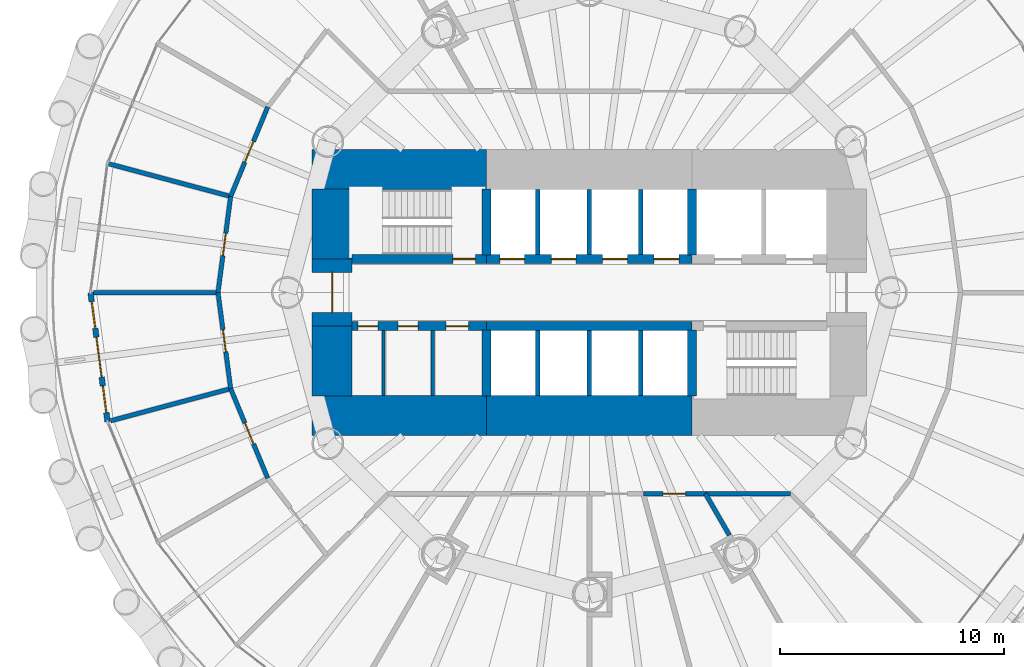
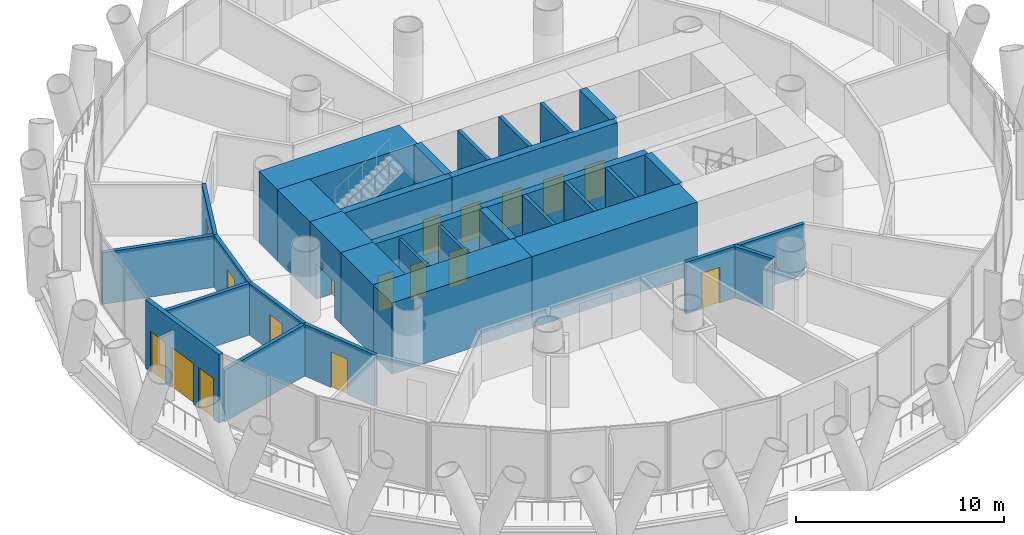
# One storey, part 9 of 15: 33 walls, 15 doors, 2 windows, 17 openings.
"""IFC4 building model written with IfcOpenShell, lengths in metres."""

from ifc_helpers import new_model, si_unit, direction, frame, frame_2d, origin, place, context, subcontext, project, spatial, rectangle, extrude, material, layer, layer_set, type_object, element, fill, save


model = new_model("IFC4")

# Units and contexts
model_context = context("Model", 3, precision=1e-05, world=origin(), true_north=direction((0.0, 1.0)))
body_context = subcontext(model_context, "Body", "Model", "MODEL_VIEW")
ifc_project = project(units=[si_unit("LENGTHUNIT", "METRE"), si_unit("AREAUNIT", "SQUARE_METRE"), si_unit("VOLUMEUNIT", "CUBIC_METRE"), si_unit("PLANEANGLEUNIT", "RADIAN"), si_unit("MASSUNIT", "GRAM", prefix="KILO")], contexts=[model_context])

# Site, building, storey
site_placement = place(None, origin())
site = spatial("IfcSite", under=ifc_project, at=site_placement, CompositionType="ELEMENT")
building_placement = place(site_placement, origin())
building = spatial("IfcBuilding", under=site, at=building_placement, Name="Qaws Media Tower", CompositionType="ELEMENT")
storey_placement = place(building_placement, frame((0.0, 0.0, 51.199951171875)))
storey = spatial("IfcBuildingStorey", under=building, at=storey_placement, Name="L10", CompositionType="ELEMENT", Elevation=51.199951171875)

# Wall, openings, door, windows
ifc_material_1 = material(Name="Precast concrete, exposed finish", Category="concrete")
ifc_layer_1 = layer(ifc_material_1, 0.25)
ifc_layer_set_1 = layer_set([ifc_layer_1], Name="Balcony door wall 250")
wall_type_1 = type_object("IfcWallType", Name="Balcony door wall 250", PredefinedType="SOLIDWALL", material=ifc_layer_set_1)
wall_1_placement = place(storey_placement, frame((37.699951171875, 50.0, 0.0), z_axis=(0.0, 0.0, 1.0), x_axis=(0.130551062135, -0.99144158687, 0.0)))
wall_1 = element("IfcWall", 1, at=wall_1_placement, inside=storey, type_object=wall_type_1, Name="W129 EW1 balcony door wall L10-13", PredefinedType="SOLIDWALL", context=body_context, shape_type="SweptSolid", body=[
    extrude(rectangle(XDim=5.821533203125, YDim=0.25, at=frame_2d((2.91064453125, 0.0))), origin(), (0.0, 0.0, 1.0), 4.0400390625),
])
opening_1_placement = place(wall_1_placement, frame((2.0107421875, 0.0, 0.0)))
opening_1 = element("IfcOpeningElement", 2, at=opening_1_placement, cuts=wall_1, Name="Opening D7", PredefinedType="OPENING", context=body_context, shape_type="SweptSolid", body=[
    extrude(rectangle(XDim=1.800048828125, YDim=2.39990234375, at=frame_2d((0.89990234375, 1.199951171875))), frame((0.0, 0.135009765625, 0.0), z_axis=(0.0, -1.0, 0.0), x_axis=(1.0, 0.0, 0.0)), (0.0, 0.0, 1.0), 0.27001953125),
])
opening_2_placement = place(wall_1_placement, frame((0.41064453125, 0.0, 0.0)))
opening_2 = element("IfcOpeningElement", 3, at=opening_2_placement, cuts=wall_1, Name="Opening W1", PredefinedType="OPENING", context=body_context, shape_type="SweptSolid", body=[
    extrude(rectangle(XDim=1.199951171875, YDim=2.39990234375, at=frame_2d((0.60009765625, 1.199951171875))), frame((0.0, 0.135009765625, 0.0), z_axis=(0.0, -1.0, 0.0), x_axis=(1.0, 0.0, 0.0)), (0.0, 0.0, 1.0), 0.27001953125),
])
opening_3_placement = place(wall_1_placement, frame((4.210693359375, 0.0, 0.0)))
opening_3 = element("IfcOpeningElement", 4, at=opening_3_placement, cuts=wall_1, Name="Opening W1", PredefinedType="OPENING", context=body_context, shape_type="SweptSolid", body=[
    extrude(rectangle(XDim=1.199951171875, YDim=2.39990234375, at=frame_2d((0.60009765625, 1.199951171875))), frame((0.0, 0.135009765625, 0.0), z_axis=(0.0, -1.0, 0.0), x_axis=(1.0, 0.0, 0.0)), (0.0, 0.0, 1.0), 0.27001953125),
])
ifc_material_2 = material(Name="Aluminium and clear glass", Category="aluminium")
door_type_1 = type_object("IfcDoorType", Name="Balcony door pair 1800", OperationType="DOUBLE_DOOR_SLIDING", PredefinedType="DOOR", material=ifc_material_2)
door_1_placement = place(opening_1_placement, origin())
door_1 = element("IfcDoor", 5, at=door_1_placement, inside=storey, type_object=door_type_1, Name="D7 balcony door L10-13 in wall W129", OperationType="DOUBLE_DOOR_SLIDING", OverallHeight=2.39990234375, OverallWidth=1.800048828125, PredefinedType="DOOR", context=body_context, shape_type="SweptSolid", body=[
    extrude(rectangle(XDim=1.800048828125, YDim=2.39990234375, at=frame_2d((0.89990234375, 1.199951171875))), frame((0.0, 0.02490234375, 0.0), z_axis=(0.0, -1.0, 0.0), x_axis=(1.0, 0.0, 0.0)), (0.0, 0.0, 1.0), 0.050048828125),
])
fill(opening_1, door_1)
ifc_material_3 = material(Name="Aluminium and clear glass", Category="aluminium")
window_type = type_object("IfcWindowType", Name="Balcony side window 1200", PartitioningType="SINGLE_PANEL", PredefinedType="WINDOW", material=ifc_material_3)
window_1_placement = place(opening_2_placement, origin())
window_1 = element("IfcWindow", 6, at=window_1_placement, inside=storey, type_object=window_type, Name="W1 balcony side light L10-13L", OverallHeight=2.39990234375, OverallWidth=1.199951171875, PartitioningType="SINGLE_PANEL", PredefinedType="WINDOW", context=body_context, shape_type="SweptSolid", body=[
    extrude(rectangle(XDim=1.199951171875, YDim=2.39990234375, at=frame_2d((0.60009765625, 1.199951171875))), frame((0.0, 0.030029296875, 0.0), z_axis=(0.0, -1.0, 0.0), x_axis=(1.0, 0.0, 0.0)), (0.0, 0.0, 1.0), 0.06005859375),
])
fill(opening_2, window_1)
window_2_placement = place(opening_3_placement, origin())
window_2 = element("IfcWindow", 7, at=window_2_placement, inside=storey, type_object=window_type, Name="W1 balcony side light L10-13R", OverallHeight=2.39990234375, OverallWidth=1.199951171875, PartitioningType="SINGLE_PANEL", PredefinedType="WINDOW", context=body_context, shape_type="SweptSolid", body=[
    extrude(rectangle(XDim=1.199951171875, YDim=2.39990234375, at=frame_2d((0.60009765625, 1.199951171875))), frame((0.0, 0.030029296875, 0.0), z_axis=(0.0, -1.0, 0.0), x_axis=(1.0, 0.0, 0.0)), (0.0, 0.0, 1.0), 0.06005859375),
])
fill(opening_3, window_2)

# Wall, opening, door
ifc_material_4 = material(Name="Concrete C60/75", Category="concrete")
ifc_layer_2 = layer(ifc_material_4, 0.39990234375)
ifc_layer_set_2 = layer_set([ifc_layer_2], Name="Core inner wall 400")
wall_type_2 = type_object("IfcWallType", Name="Core inner wall 400", PredefinedType="SHEAR", material=ifc_layer_set_2)
wall_2_placement = place(storey_placement, frame((49.3798828125, 51.5, 0.0), z_axis=(0.0, 0.0, 1.0), x_axis=(1.0, 0.0, 0.0)))
wall_2 = element("IfcWall", 8, at=wall_2_placement, inside=storey, type_object=wall_type_2, Name="W311 SW4 core wall SPNW L10", PredefinedType="SHEAR", context=body_context, shape_type="SweptSolid", body=[
    extrude(rectangle(XDim=6.02001953125, YDim=0.39990234375, at=frame_2d((3.010009765625, 0.0))), origin(), (0.0, 0.0, 1.0), 4.199951171875),
])
opening_4_placement = place(wall_2_placement, frame((4.52001953125, 0.0, 0.0)))
opening_4 = element("IfcOpeningElement", 9, at=opening_4_placement, cuts=wall_2, Name="Opening D1", PredefinedType="OPENING", context=body_context, shape_type="SweptSolid", body=[
    extrude(rectangle(XDim=1.0, YDim=2.10009765625, at=frame_2d((0.5, 1.050048828125))), frame((0.0, 0.2099609375, 0.0), z_axis=(0.0, -1.0, 0.0), x_axis=(1.0, 0.0, 0.0)), (0.0, 0.0, 1.0), 0.419921875),
])
ifc_material_5 = material(Name="Steel, fire rated", Category="steel")
door_type_2 = type_object("IfcDoorType", Name="Stair door 1000 FD120", OperationType="SINGLE_SWING_LEFT", PredefinedType="DOOR", material=ifc_material_5)
door_2_placement = place(opening_4_placement, origin())
door_2 = element("IfcDoor", 10, at=door_2_placement, inside=storey, type_object=door_type_2, Name="D1 stair S1 door L10 in wall W311", OperationType="SINGLE_SWING_LEFT", OverallHeight=2.10009765625, OverallWidth=1.0, PredefinedType="DOOR", context=body_context, shape_type="SweptSolid", body=[
    extrude(rectangle(XDim=1.0, YDim=2.10009765625, at=frame_2d((0.5, 1.050048828125))), frame((0.0, 0.02490234375, 0.0), z_axis=(0.0, -1.0, 0.0), x_axis=(1.0, 0.0, 0.0)), (0.0, 0.0, 1.0), 0.050048828125),
])
fill(opening_4, door_2)

# Wall, openings, doors
wall_3_placement = place(storey_placement, frame((55.39990234375, 51.5, 0.0), z_axis=(0.0, 0.0, 1.0), x_axis=(1.0, 0.0, 0.0)))
wall_3 = element("IfcWall", 11, at=wall_3_placement, inside=storey, type_object=wall_type_2, Name="W314 SW4 core wall SPN L10", PredefinedType="SHEAR", context=body_context, shape_type="SweptSolid", body=[
    extrude(rectangle(XDim=9.2001953125, YDim=0.39990234375, at=frame_2d((4.60009765625, 0.0))), origin(), (0.0, 0.0, 1.0), 4.199951171875),
])
opening_5_placement = place(wall_3_placement, frame((0.60009765625, 0.0, 0.0)))
opening_5 = element("IfcOpeningElement", 12, at=opening_5_placement, cuts=wall_3, Name="Opening LD", PredefinedType="OPENING", context=body_context, shape_type="SweptSolid", body=[
    extrude(rectangle(XDim=1.10009765625, YDim=2.10009765625, at=frame_2d((0.550048828125, 1.050048828125))), frame((0.0, 0.2099609375, 0.0), z_axis=(0.0, -1.0, 0.0), x_axis=(1.0, 0.0, 0.0)), (0.0, 0.0, 1.0), 0.419921875),
])
opening_6_placement = place(wall_3_placement, frame((2.89990234375, 0.0, 0.0)))
opening_6 = element("IfcOpeningElement", 13, at=opening_6_placement, cuts=wall_3, Name="Opening LD", PredefinedType="OPENING", context=body_context, shape_type="SweptSolid", body=[
    extrude(rectangle(XDim=1.10009765625, YDim=2.10009765625, at=frame_2d((0.550048828125, 1.050048828125))), frame((0.0, 0.2099609375, 0.0), z_axis=(0.0, -1.0, 0.0), x_axis=(1.0, 0.0, 0.0)), (0.0, 0.0, 1.0), 0.419921875),
])
opening_7_placement = place(wall_3_placement, frame((5.199951171875, 0.0, 0.0)))
opening_7 = element("IfcOpeningElement", 14, at=opening_7_placement, cuts=wall_3, Name="Opening LD", PredefinedType="OPENING", context=body_context, shape_type="SweptSolid", body=[
    extrude(rectangle(XDim=1.10009765625, YDim=2.10009765625, at=frame_2d((0.550048828125, 1.050048828125))), frame((0.0, 0.2099609375, 0.0), z_axis=(0.0, -1.0, 0.0), x_axis=(1.0, 0.0, 0.0)), (0.0, 0.0, 1.0), 0.419921875),
])
opening_8_placement = place(wall_3_placement, frame((7.5, 0.0, 0.0)))
opening_8 = element("IfcOpeningElement", 15, at=opening_8_placement, cuts=wall_3, Name="Opening LD", PredefinedType="OPENING", context=body_context, shape_type="SweptSolid", body=[
    extrude(rectangle(XDim=1.10009765625, YDim=2.10009765625, at=frame_2d((0.550048828125, 1.050048828125))), frame((0.0, 0.2099609375, 0.0), z_axis=(0.0, -1.0, 0.0), x_axis=(1.0, 0.0, 0.0)), (0.0, 0.0, 1.0), 0.419921875),
])
ifc_material_6 = material(Name="Steel, fire rated", Category="steel")
door_type_3 = type_object("IfcDoorType", Name="Lift landing door 1100", OperationType="SLIDING_TO_LEFT", PredefinedType="DOOR", material=ifc_material_6)
door_3_placement = place(opening_5_placement, origin())
door_3 = element("IfcDoor", 16, at=door_3_placement, inside=storey, type_object=door_type_3, Name="P1 landing door L10 in wall W314", OperationType="SLIDING_TO_LEFT", OverallHeight=2.10009765625, OverallWidth=1.10009765625, PredefinedType="DOOR", context=body_context, shape_type="SweptSolid", body=[
    extrude(rectangle(XDim=1.10009765625, YDim=2.10009765625, at=frame_2d((0.550048828125, 1.050048828125))), frame((0.0, 0.02490234375, 0.0), z_axis=(0.0, -1.0, 0.0), x_axis=(1.0, 0.0, 0.0)), (0.0, 0.0, 1.0), 0.050048828125),
])
fill(opening_5, door_3)
door_4_placement = place(opening_6_placement, origin())
door_4 = element("IfcDoor", 17, at=door_4_placement, inside=storey, type_object=door_type_3, Name="P2 landing door L10 in wall W314", OperationType="SLIDING_TO_LEFT", OverallHeight=2.10009765625, OverallWidth=1.10009765625, PredefinedType="DOOR", context=body_context, shape_type="SweptSolid", body=[
    extrude(rectangle(XDim=1.10009765625, YDim=2.10009765625, at=frame_2d((0.550048828125, 1.050048828125))), frame((0.0, 0.02490234375, 0.0), z_axis=(0.0, -1.0, 0.0), x_axis=(1.0, 0.0, 0.0)), (0.0, 0.0, 1.0), 0.050048828125),
])
fill(opening_6, door_4)
door_5_placement = place(opening_7_placement, origin())
door_5 = element("IfcDoor", 18, at=door_5_placement, inside=storey, type_object=door_type_3, Name="P3 landing door L10 in wall W314", OperationType="SLIDING_TO_LEFT", OverallHeight=2.10009765625, OverallWidth=1.10009765625, PredefinedType="DOOR", context=body_context, shape_type="SweptSolid", body=[
    extrude(rectangle(XDim=1.10009765625, YDim=2.10009765625, at=frame_2d((0.550048828125, 1.050048828125))), frame((0.0, 0.02490234375, 0.0), z_axis=(0.0, -1.0, 0.0), x_axis=(1.0, 0.0, 0.0)), (0.0, 0.0, 1.0), 0.050048828125),
])
fill(opening_7, door_5)
door_6_placement = place(opening_8_placement, origin())
door_6 = element("IfcDoor", 19, at=door_6_placement, inside=storey, type_object=door_type_3, Name="P4 landing door L10 in wall W314", OperationType="SLIDING_TO_LEFT", OverallHeight=2.10009765625, OverallWidth=1.10009765625, PredefinedType="DOOR", context=body_context, shape_type="SweptSolid", body=[
    extrude(rectangle(XDim=1.10009765625, YDim=2.10009765625, at=frame_2d((0.550048828125, 1.050048828125))), frame((0.0, 0.02490234375, 0.0), z_axis=(0.0, -1.0, 0.0), x_axis=(1.0, 0.0, 0.0)), (0.0, 0.0, 1.0), 0.050048828125),
])
fill(opening_8, door_6)

wall_4_placement = place(storey_placement, frame((49.3798828125, 48.5, 0.0), z_axis=(0.0, 0.0, 1.0), x_axis=(1.0, 0.0, 0.0)))
wall_4 = element("IfcWall", 20, at=wall_4_placement, inside=storey, type_object=wall_type_2, Name="W310 SW4 core wall SPSW L10", PredefinedType="SHEAR", context=body_context, shape_type="SweptSolid", body=[
    extrude(rectangle(XDim=6.02001953125, YDim=0.39990234375, at=frame_2d((3.010009765625, 0.0))), origin(), (0.0, 0.0, 1.0), 4.199951171875),
])
opening_9_placement = place(wall_4_placement, frame((0.27001953125, 0.0, 0.0)))
opening_9 = element("IfcOpeningElement", 21, at=opening_9_placement, cuts=wall_4, Name="Opening D25", PredefinedType="OPENING", context=body_context, shape_type="SweptSolid", body=[
    extrude(rectangle(XDim=0.89990234375, YDim=2.10009765625, at=frame_2d((0.449951171875, 1.050048828125))), frame((0.0, 0.2099609375, 0.0), z_axis=(0.0, -1.0, 0.0), x_axis=(1.0, 0.0, 0.0)), (0.0, 0.0, 1.0), 0.419921875),
])
opening_10_placement = place(wall_4_placement, frame((2.070068359375, 0.0, 0.0)))
opening_10 = element("IfcOpeningElement", 22, at=opening_10_placement, cuts=wall_4, Name="Opening D25", PredefinedType="OPENING", context=body_context, shape_type="SweptSolid", body=[
    extrude(rectangle(XDim=0.89990234375, YDim=2.10009765625, at=frame_2d((0.449951171875, 1.050048828125))), frame((0.0, 0.2099609375, 0.0), z_axis=(0.0, -1.0, 0.0), x_axis=(1.0, 0.0, 0.0)), (0.0, 0.0, 1.0), 0.419921875),
])
opening_11_placement = place(wall_4_placement, frame((4.219970703125, 0.0, 0.0)))
opening_11 = element("IfcOpeningElement", 23, at=opening_11_placement, cuts=wall_4, Name="Opening D4", PredefinedType="OPENING", context=body_context, shape_type="SweptSolid", body=[
    extrude(rectangle(XDim=1.0, YDim=2.10009765625, at=frame_2d((0.5, 1.050048828125))), frame((0.0, 0.2099609375, 0.0), z_axis=(0.0, -1.0, 0.0), x_axis=(1.0, 0.0, 0.0)), (0.0, 0.0, 1.0), 0.419921875),
])
ifc_material_7 = material(Name="Timber veneered", Category="wood")
door_type_4 = type_object("IfcDoorType", Name="Accessible WC door 1000", OperationType="SLIDING_TO_LEFT", PredefinedType="DOOR", material=ifc_material_7)
door_7_placement = place(opening_11_placement, origin())
door_7 = element("IfcDoor", 24, at=door_7_placement, inside=storey, type_object=door_type_4, Name="D4 toilet door 3 L10 in wall W310", OperationType="SLIDING_TO_LEFT", OverallHeight=2.10009765625, OverallWidth=1.0, PredefinedType="DOOR", context=body_context, shape_type="SweptSolid", body=[
    extrude(rectangle(XDim=1.0, YDim=2.10009765625, at=frame_2d((0.5, 1.050048828125))), frame((0.0, 0.02490234375, 0.0), z_axis=(0.0, -1.0, 0.0), x_axis=(1.0, 0.0, 0.0)), (0.0, 0.0, 1.0), 0.050048828125),
])
fill(opening_11, door_7)
ifc_material_8 = material(Name="Steel, fire rated", Category="steel")
door_type_5 = type_object("IfcDoorType", Name="Core service door 900", OperationType="SINGLE_SWING_RIGHT", PredefinedType="DOOR", material=ifc_material_8)
door_8_placement = place(opening_9_placement, origin())
door_8 = element("IfcDoor", 25, at=door_8_placement, inside=storey, type_object=door_type_5, Name="D25 toilet door 1 L10 in wall W310", OperationType="SINGLE_SWING_RIGHT", OverallHeight=2.10009765625, OverallWidth=0.89990234375, PredefinedType="DOOR", context=body_context, shape_type="SweptSolid", body=[
    extrude(rectangle(XDim=0.89990234375, YDim=2.10009765625, at=frame_2d((0.449951171875, 1.050048828125))), frame((0.0, 0.02490234375, 0.0), z_axis=(0.0, -1.0, 0.0), x_axis=(1.0, 0.0, 0.0)), (0.0, 0.0, 1.0), 0.050048828125),
])
fill(opening_9, door_8)
door_9_placement = place(opening_10_placement, origin())
door_9 = element("IfcDoor", 26, at=door_9_placement, inside=storey, type_object=door_type_5, Name="D25 toilet door 2 L10 in wall W310", OperationType="SINGLE_SWING_RIGHT", OverallHeight=2.10009765625, OverallWidth=0.89990234375, PredefinedType="DOOR", context=body_context, shape_type="SweptSolid", body=[
    extrude(rectangle(XDim=0.89990234375, YDim=2.10009765625, at=frame_2d((0.449951171875, 1.050048828125))), frame((0.0, 0.02490234375, 0.0), z_axis=(0.0, -1.0, 0.0), x_axis=(1.0, 0.0, 0.0)), (0.0, 0.0, 1.0), 0.050048828125),
])
fill(opening_10, door_9)

# Walls
wall_5_placement = place(storey_placement, frame((55.39990234375, 48.5, 0.0), z_axis=(0.0, 0.0, 1.0), x_axis=(1.0, 0.0, 0.0)))
element("IfcWall", 27, at=wall_5_placement, inside=storey, type_object=wall_type_2, Name="W313 SW4 core wall SPS L10", PredefinedType="SHEAR", context=body_context, shape_type="SweptSolid", body=[
    extrude(rectangle(XDim=9.2001953125, YDim=0.39990234375, at=frame_2d((4.60009765625, 0.0))), origin(), (0.0, 0.0, 1.0), 4.199951171875),
])
for number, where, z_axis, x_axis, name in (
    (28, (55.39990234375, 51.679931640625, 0.0), (0.0, 0.0, 1.0), (0.0, 1.0, 0.0), "W315 SW4 core wall XNW L10"),
    (29, (64.60009765625, 51.679931640625, 0.0), (0.0, 0.0, 1.0), (0.0, 1.0, 0.0), "W319 SW4 core wall XNE L10"),
    (30, (55.39990234375, 48.320068359375, 0.0), (0.0, 0.0, 1.0), (0.0, -1.0, 0.0), "W312 SW4 core wall XSW L10"),
    (31, (64.60009765625, 48.320068359375, 0.0), (0.0, 0.0, 1.0), (0.0, -1.0, 0.0), "W316 SW4 core wall XSE L10"),
):
    element("IfcWall", number, at=place(storey_placement, frame(where, z_axis=z_axis, x_axis=x_axis)), inside=storey, type_object=wall_type_2, Name=name, PredefinedType="SHEAR", context=body_context, shape_type="SweptSolid", body=[
        extrude(rectangle(XDim=2.940185546875, YDim=0.39990234375, at=frame_2d((1.47021484375, 0.0))), origin(), (0.0, 0.0, 1.0), 4.199951171875),
    ])
ifc_material_9 = material(Name="Concrete C60/75", Category="concrete")
ifc_layer_3 = layer(ifc_material_9, 1.800048828125)
ifc_layer_set_3 = layer_set([ifc_layer_3], Name="Core wall 1800")
wall_type_3 = type_object("IfcWallType", Name="Core wall 1800", PredefinedType="SHEAR", material=ifc_layer_set_3)
for number, where, z_axis, x_axis, name in (
    (32, (47.60009765625, 55.5, 0.0), (0.0, 0.0, 1.0), (1.0, 0.0, 0.0), "W399 SW11 core wall NW L10"),
    (33, (47.60009765625, 44.5, 0.0), (0.0, 0.0, 1.0), (1.0, 0.0, 0.0), "W398 SW11 core wall SW L10"),
):
    element("IfcWall", number, at=place(storey_placement, frame(where, z_axis=z_axis, x_axis=x_axis)), inside=storey, type_object=wall_type_3, Name=name, PredefinedType="SHEAR", context=body_context, shape_type="SweptSolid", body=[
        extrude(rectangle(XDim=7.7998046875, YDim=1.800048828125, at=frame_2d((3.89990234375, 0.0))), origin(), (0.0, 0.0, 1.0), 4.199951171875),
    ])
wall_6_placement = place(storey_placement, frame((55.39990234375, 44.5, 0.0), z_axis=(0.0, 0.0, 1.0), x_axis=(1.0, 0.0, 0.0)))
element("IfcWall", 34, at=wall_6_placement, inside=storey, type_object=wall_type_3, Name="W403 SW11 core wall S L10", PredefinedType="SHEAR", context=body_context, shape_type="SweptSolid", body=[
    extrude(rectangle(XDim=9.2001953125, YDim=1.800048828125, at=frame_2d((4.60009765625, 0.0))), origin(), (0.0, 0.0, 1.0), 4.199951171875),
])
wall_7_placement = place(storey_placement, frame((48.5, 45.3798828125, 0.0), z_axis=(0.0, 0.0, 1.0), x_axis=(0.0, 1.0, 0.0)))
element("IfcWall", 35, at=wall_7_placement, inside=storey, type_object=wall_type_3, Name="W400 SW11 core wall WS L10", PredefinedType="SHEAR", context=body_context, shape_type="SweptSolid", body=[
    extrude(rectangle(XDim=3.1201171875, YDim=1.800048828125, at=frame_2d((1.56005859375, 0.0))), origin(), (0.0, 0.0, 1.0), 4.199951171875),
])

# Wall, opening, door
wall_8_placement = place(storey_placement, frame((48.5, 48.5, 0.0), z_axis=(0.0, 0.0, 1.0), x_axis=(0.0, 1.0, 0.0)))
wall_8 = element("IfcWall", 36, at=wall_8_placement, inside=storey, type_object=wall_type_3, Name="W401 SW11 core wall W L10", PredefinedType="SHEAR", context=body_context, shape_type="SweptSolid", body=[
    extrude(rectangle(XDim=3.0, YDim=1.800048828125, at=frame_2d((1.5, 0.0))), origin(), (0.0, 0.0, 1.0), 4.199951171875),
])
opening_12_placement = place(wall_8_placement, frame((0.60009765625, 0.0, 0.0)))
opening_12 = element("IfcOpeningElement", 37, at=opening_12_placement, cuts=wall_8, Name="Opening D2", PredefinedType="OPENING", context=body_context, shape_type="SweptSolid", body=[
    extrude(rectangle(XDim=1.800048828125, YDim=2.10009765625, at=frame_2d((0.89990234375, 1.050048828125))), frame((0.0, 0.909912109375, 0.0), z_axis=(0.0, -1.0, 0.0), x_axis=(1.0, 0.0, 0.0)), (0.0, 0.0, 1.0), 1.820068359375),
])
ifc_material_10 = material(Name="Steel and glass, fire rated", Category="steel")
door_type_6 = type_object("IfcDoorType", Name="Lobby door pair 1800 FD60", OperationType="DOUBLE_DOOR_DOUBLE_SWING", PredefinedType="DOOR", material=ifc_material_10)
door_10_placement = place(opening_12_placement, origin())
door_10 = element("IfcDoor", 38, at=door_10_placement, inside=storey, type_object=door_type_6, Name="D2 core lobby door W L10 in wall W401", OperationType="DOUBLE_DOOR_DOUBLE_SWING", OverallHeight=2.10009765625, OverallWidth=1.800048828125, PredefinedType="DOOR", context=body_context, shape_type="SweptSolid", body=[
    extrude(rectangle(XDim=1.800048828125, YDim=2.10009765625, at=frame_2d((0.89990234375, 1.050048828125))), frame((0.0, 0.02490234375, 0.0), z_axis=(0.0, -1.0, 0.0), x_axis=(1.0, 0.0, 0.0)), (0.0, 0.0, 1.0), 0.050048828125),
])
fill(opening_12, door_10)

# Wall
wall_9_placement = place(storey_placement, frame((48.5, 51.5, 0.0), z_axis=(0.0, 0.0, 1.0), x_axis=(0.0, 1.0, 0.0)))
element("IfcWall", 39, at=wall_9_placement, inside=storey, type_object=wall_type_3, Name="W402 SW11 core wall WN L10", PredefinedType="SHEAR", context=body_context, shape_type="SweptSolid", body=[
    extrude(rectangle(XDim=3.1201171875, YDim=1.800048828125, at=frame_2d((1.56005859375, 0.0))), origin(), (0.0, 0.0, 1.0), 4.199951171875),
])

# Wall, opening, door
ifc_material_11 = material(Name="Gypsum board on galvanised metal studs, acoustic double stud, deflection head", Category="gypsum")
ifc_layer_4 = layer(ifc_material_11, 0.199951171875)
ifc_layer_set_4 = layer_set([ifc_layer_4], Name="Room partition 200")
wall_type_4 = type_object("IfcWallType", Name="Room partition 200", PredefinedType="PARTITIONING", material=ifc_layer_set_4)
wall_10_placement = place(storey_placement, frame((45.6240234375, 41.699951171875, 0.0), z_axis=(0.0, 0.0, 1.0), x_axis=(-0.382698425325, 0.923873322082, 0.0)))
wall_10 = element("IfcWall", 40, at=wall_10_placement, inside=storey, type_object=wall_type_4, Name="W991 IW3 partition L10", PredefinedType="PARTITIONING", context=body_context, shape_type="SweptSolid", body=[
    extrude(rectangle(XDim=4.33349609375, YDim=0.199951171875, at=frame_2d((2.166748046875, 0.0))), origin(), (0.0, 0.0, 1.0), 3.0400390625),
])
opening_13_placement = place(wall_10_placement, frame((1.666748046875, 0.0, 0.0)))
opening_13 = element("IfcOpeningElement", 41, at=opening_13_placement, cuts=wall_10, Name="Opening D5", PredefinedType="OPENING", context=body_context, shape_type="SweptSolid", body=[
    extrude(rectangle(XDim=1.0, YDim=2.10009765625, at=frame_2d((0.5, 1.050048828125))), frame((0.0, 0.10986328125, 0.0), z_axis=(0.0, -1.0, 0.0), x_axis=(1.0, 0.0, 0.0)), (0.0, 0.0, 1.0), 0.219970703125),
])
ifc_material_12 = material(Name="Timber veneered, acoustic seal", Category="wood")
door_type_7 = type_object("IfcDoorType", Name="Room door 1000", OperationType="SINGLE_SWING_LEFT", PredefinedType="DOOR", material=ifc_material_12)
door_11_placement = place(opening_13_placement, origin())
door_11 = element("IfcDoor", 42, at=door_11_placement, inside=storey, type_object=door_type_7, Name="D5 Edit room door L10 in wall W991", OperationType="SINGLE_SWING_LEFT", OverallHeight=2.10009765625, OverallWidth=1.0, PredefinedType="DOOR", context=body_context, shape_type="SweptSolid", body=[
    extrude(rectangle(XDim=1.0, YDim=2.10009765625, at=frame_2d((0.5, 1.050048828125))), frame((0.0, 0.02490234375, 0.0), z_axis=(0.0, -1.0, 0.0), x_axis=(1.0, 0.0, 0.0)), (0.0, 0.0, 1.0), 0.050048828125),
])
fill(opening_13, door_11)

wall_11_placement = place(storey_placement, frame((43.965576171875, 45.70361328125, 0.0), z_axis=(0.0, 0.0, 1.0), x_axis=(-0.130536124221, 0.99144355375, 0.0)))
wall_11 = element("IfcWall", 43, at=wall_11_placement, inside=storey, type_object=wall_type_4, Name="W987 IW3 partition L10", PredefinedType="PARTITIONING", context=body_context, shape_type="SweptSolid", body=[
    extrude(rectangle(XDim=4.33349609375, YDim=0.199951171875, at=frame_2d((2.166748046875, 0.0))), origin(), (0.0, 0.0, 1.0), 3.0400390625),
])
opening_14_placement = place(wall_11_placement, frame((1.666748046875, 0.0, 0.0)))
opening_14 = element("IfcOpeningElement", 44, at=opening_14_placement, cuts=wall_11, Name="Opening D5", PredefinedType="OPENING", context=body_context, shape_type="SweptSolid", body=[
    extrude(rectangle(XDim=1.0, YDim=2.10009765625, at=frame_2d((0.5, 1.050048828125))), frame((0.0, 0.10986328125, 0.0), z_axis=(0.0, -1.0, 0.0), x_axis=(1.0, 0.0, 0.0)), (0.0, 0.0, 1.0), 0.219970703125),
])
door_12_placement = place(opening_14_placement, origin())
door_12 = element("IfcDoor", 45, at=door_12_placement, inside=storey, type_object=door_type_7, Name="D5 Edit room door L10 in wall W987", OperationType="SINGLE_SWING_LEFT", OverallHeight=2.10009765625, OverallWidth=1.0, PredefinedType="DOOR", context=body_context, shape_type="SweptSolid", body=[
    extrude(rectangle(XDim=1.0, YDim=2.10009765625, at=frame_2d((0.5, 1.050048828125))), frame((0.0, 0.02490234375, 0.0), z_axis=(0.0, -1.0, 0.0), x_axis=(1.0, 0.0, 0.0)), (0.0, 0.0, 1.0), 0.050048828125),
])
fill(opening_14, door_12)

wall_12_placement = place(storey_placement, frame((43.39990234375, 50.0, 0.0), z_axis=(0.0, 0.0, 1.0), x_axis=(0.130536124221, 0.99144355375, 0.0)))
wall_12 = element("IfcWall", 46, at=wall_12_placement, inside=storey, type_object=wall_type_4, Name="W985 IW3 partition L10", PredefinedType="PARTITIONING", context=body_context, shape_type="SweptSolid", body=[
    extrude(rectangle(XDim=4.33349609375, YDim=0.199951171875, at=frame_2d((2.166748046875, 0.0))), origin(), (0.0, 0.0, 1.0), 3.0400390625),
])
opening_15_placement = place(wall_12_placement, frame((1.666748046875, 0.0, 0.0)))
opening_15 = element("IfcOpeningElement", 47, at=opening_15_placement, cuts=wall_12, Name="Opening D5", PredefinedType="OPENING", context=body_context, shape_type="SweptSolid", body=[
    extrude(rectangle(XDim=1.0, YDim=2.10009765625, at=frame_2d((0.5, 1.050048828125))), frame((0.0, 0.10986328125, 0.0), z_axis=(0.0, -1.0, 0.0), x_axis=(1.0, 0.0, 0.0)), (0.0, 0.0, 1.0), 0.219970703125),
])
door_13_placement = place(opening_15_placement, origin())
door_13 = element("IfcDoor", 48, at=door_13_placement, inside=storey, type_object=door_type_7, Name="D5 Edit room door L10 in wall W985", OperationType="SINGLE_SWING_LEFT", OverallHeight=2.10009765625, OverallWidth=1.0, PredefinedType="DOOR", context=body_context, shape_type="SweptSolid", body=[
    extrude(rectangle(XDim=1.0, YDim=2.10009765625, at=frame_2d((0.5, 1.050048828125))), frame((0.0, 0.02490234375, 0.0), z_axis=(0.0, -1.0, 0.0), x_axis=(1.0, 0.0, 0.0)), (0.0, 0.0, 1.0), 0.050048828125),
])
fill(opening_15, door_13)

wall_13_placement = place(storey_placement, frame((43.965576171875, 54.29638671875, 0.0), z_axis=(0.0, 0.0, 1.0), x_axis=(0.382698425325, 0.923873322082, 0.0)))
wall_13 = element("IfcWall", 49, at=wall_13_placement, inside=storey, type_object=wall_type_4, Name="W989 IW3 partition L10", PredefinedType="PARTITIONING", context=body_context, shape_type="SweptSolid", body=[
    extrude(rectangle(XDim=4.33349609375, YDim=0.199951171875, at=frame_2d((2.166748046875, 0.0))), origin(), (0.0, 0.0, 1.0), 3.0400390625),
])
opening_16_placement = place(wall_13_placement, frame((1.666748046875, 0.0, 0.0)))
opening_16 = element("IfcOpeningElement", 50, at=opening_16_placement, cuts=wall_13, Name="Opening D5", PredefinedType="OPENING", context=body_context, shape_type="SweptSolid", body=[
    extrude(rectangle(XDim=1.0, YDim=2.10009765625, at=frame_2d((0.5, 1.050048828125))), frame((0.0, 0.10986328125, 0.0), z_axis=(0.0, -1.0, 0.0), x_axis=(1.0, 0.0, 0.0)), (0.0, 0.0, 1.0), 0.219970703125),
])
door_14_placement = place(opening_16_placement, origin())
door_14 = element("IfcDoor", 51, at=door_14_placement, inside=storey, type_object=door_type_7, Name="D5 Edit room door L10 in wall W989", OperationType="SINGLE_SWING_LEFT", OverallHeight=2.10009765625, OverallWidth=1.0, PredefinedType="DOOR", context=body_context, shape_type="SweptSolid", body=[
    extrude(rectangle(XDim=1.0, YDim=2.10009765625, at=frame_2d((0.5, 1.050048828125))), frame((0.0, 0.02490234375, 0.0), z_axis=(0.0, -1.0, 0.0), x_axis=(1.0, 0.0, 0.0)), (0.0, 0.0, 1.0), 0.050048828125),
])
fill(opening_16, door_14)

# Wall
wall_14_placement = place(storey_placement, frame((69.0, 41.0, 0.0), z_axis=(0.0, 0.0, 1.0), x_axis=(-1.0, 0.0, 0.0)))
element("IfcWall", 52, at=wall_14_placement, inside=storey, type_object=wall_type_4, Name="W1009 IW3 partition L10", PredefinedType="PARTITIONING", context=body_context, shape_type="SweptSolid", body=[
    extrude(rectangle(XDim=3.8037109375, YDim=0.199951171875, at=frame_2d((1.90185546875, 0.0))), origin(), (0.0, 0.0, 1.0), 3.02001953125),
])

# Wall, opening, door
wall_15_placement = place(storey_placement, frame((65.1962890625, 41.0, 0.0), z_axis=(0.0, 0.0, 1.0), x_axis=(-1.0, 0.0, 0.0)))
wall_15 = element("IfcWall", 53, at=wall_15_placement, inside=storey, type_object=wall_type_4, Name="W1004 IW3 partition L10", PredefinedType="PARTITIONING", context=body_context, shape_type="SweptSolid", body=[
    extrude(rectangle(XDim=2.78466796875, YDim=0.199951171875, at=frame_2d((1.392333984375, 0.0))), origin(), (0.0, 0.0, 1.0), 3.0400390625),
])
opening_17_placement = place(wall_15_placement, frame((0.892333984375, 0.0, 0.0)))
opening_17 = element("IfcOpeningElement", 54, at=opening_17_placement, cuts=wall_15, Name="Opening D5", PredefinedType="OPENING", context=body_context, shape_type="SweptSolid", body=[
    extrude(rectangle(XDim=1.0, YDim=2.10009765625, at=frame_2d((0.5, 1.050048828125))), frame((0.0, 0.10986328125, 0.0), z_axis=(0.0, -1.0, 0.0), x_axis=(1.0, 0.0, 0.0)), (0.0, 0.0, 1.0), 0.219970703125),
])
door_15_placement = place(opening_17_placement, origin())
door_15 = element("IfcDoor", 55, at=door_15_placement, inside=storey, type_object=door_type_7, Name="D5 Gents toilets door L10 in wall W1004", OperationType="SINGLE_SWING_LEFT", OverallHeight=2.10009765625, OverallWidth=1.0, PredefinedType="DOOR", context=body_context, shape_type="SweptSolid", body=[
    extrude(rectangle(XDim=1.0, YDim=2.10009765625, at=frame_2d((0.5, 1.050048828125))), frame((0.0, 0.02490234375, 0.0), z_axis=(0.0, -1.0, 0.0), x_axis=(1.0, 0.0, 0.0)), (0.0, 0.0, 1.0), 0.050048828125),
])
fill(opening_17, door_15)

# Walls
wall_16_placement = place(storey_placement, frame((43.965576171875, 54.29638671875, 0.0), z_axis=(0.0, 0.0, 1.0), x_axis=(-0.965927834919, 0.258811548677, 0.0)))
element("IfcWall", 56, at=wall_16_placement, inside=storey, type_object=wall_type_4, Name="W1034 IW3 partition L10", PredefinedType="PARTITIONING", context=body_context, shape_type="SweptSolid", body=[
    extrude(rectangle(XDim=5.659912109375, YDim=0.199951171875, at=frame_2d((2.830078125, 0.0))), origin(), (0.0, 0.0, 1.0), 3.0400390625),
])
for number, where, z_axis, x_axis, name in (
    (57, (43.39990234375, 50.0, 0.0), (0.0, 0.0, 1.0), (-1.0, 0.0, 0.0), "W1032 IW3 partition L10"),
    (58, (43.965576171875, 45.70361328125, 0.0), (0.0, 0.0, 1.0), (-0.965926686799, -0.258815833613, 0.0), "W1033 IW3 partition L10"),
):
    element("IfcWall", number, at=place(storey_placement, frame(where, z_axis=z_axis, x_axis=x_axis)), inside=storey, type_object=wall_type_4, Name=name, PredefinedType="PARTITIONING", context=body_context, shape_type="SweptSolid", body=[
        extrude(rectangle(XDim=5.559814453125, YDim=0.199951171875, at=frame_2d((2.77978515625, 0.0))), origin(), (0.0, 0.0, 1.0), 3.0400390625),
    ])
wall_17_placement = place(storey_placement, frame((65.18994140625, 41.0107421875, 0.0), z_axis=(0.0, 0.0, 1.0), x_axis=(0.499987977232, -0.866032345022, 0.0)))
element("IfcWall", 59, at=wall_17_placement, inside=storey, type_object=wall_type_4, Name="W1025 IW3 partition L10", PredefinedType="PARTITIONING", context=body_context, shape_type="SweptSolid", body=[
    extrude(rectangle(XDim=2.14892578125, YDim=0.199951171875, at=frame_2d((1.074462890625, 0.0))), origin(), (0.0, 0.0, 1.0), 3.0400390625),
])
ifc_material_13 = material(Name="Fire-rated gypsum board shaft wall on galvanised metal studs, deflection head", Category="gypsum")
ifc_layer_5 = layer(ifc_material_13, 0.199951171875)
ifc_layer_set_5 = layer_set([ifc_layer_5], Name="Shaft wall 200")
wall_type_5 = type_object("IfcWallType", Name="Shaft wall 200", PredefinedType="PARTITIONING", material=ifc_layer_set_5)
for number, where, z_axis, x_axis, name in (
    (60, (57.699951171875, 51.699951171875, 0.0), (0.0, 0.0, 1.0), (0.0, 1.0, 0.0), "W1842 IW1 shaft wall N1 L10"),
    (61, (60.0, 51.699951171875, 0.0), (0.0, 0.0, 1.0), (0.0, 1.0, 0.0), "W1843 IW1 shaft wall N2 L10"),
    (62, (62.300048828125, 51.699951171875, 0.0), (0.0, 0.0, 1.0), (0.0, 1.0, 0.0), "W1844 IW1 shaft wall N3 L10"),
    (63, (57.699951171875, 45.39990234375, 0.0), (0.0, 0.0, 1.0), (0.0, 1.0, 0.0), "W1835 IW1 shaft wall S1 L10"),
    (64, (60.0, 45.39990234375, 0.0), (0.0, 0.0, 1.0), (0.0, 1.0, 0.0), "W1837 IW1 shaft wall S2 L10"),
    (65, (62.300048828125, 45.39990234375, 0.0), (0.0, 0.0, 1.0), (0.0, 1.0, 0.0), "W1839 IW1 shaft wall S3 L10"),
):
    element("IfcWall", number, at=place(storey_placement, frame(where, z_axis=z_axis, x_axis=x_axis)), inside=storey, type_object=wall_type_5, Name=name, PredefinedType="PARTITIONING", context=body_context, shape_type="SweptSolid", body=[
        extrude(rectangle(XDim=2.900146484375, YDim=0.199951171875, at=frame_2d((1.4501953125, 0.0))), origin(), (0.0, 0.0, 1.0), 4.199951171875),
    ])
ifc_material_14 = material(Name="Gypsum board on galvanised metal studs, deflection head", Category="gypsum")
ifc_layer_6 = layer(ifc_material_14, 0.14990234375)
ifc_layer_set_6 = layer_set([ifc_layer_6], Name="WC partition 150")
wall_type_6 = type_object("IfcWallType", Name="WC partition 150", PredefinedType="PARTITIONING", material=ifc_layer_set_6)
for number, where, z_axis, x_axis, name in (
    (66, (50.800048828125, 45.39990234375, 0.0), (0.0, 0.0, 1.0), (0.0, 1.0, 0.0), "W1905 IW2 toilet partition 1 L10"),
    (67, (53.0, 45.39990234375, 0.0), (0.0, 0.0, 1.0), (0.0, 1.0, 0.0), "W1906 IW2 toilet partition 2 L10"),
):
    element("IfcWall", number, at=place(storey_placement, frame(where, z_axis=z_axis, x_axis=x_axis)), inside=storey, type_object=wall_type_6, Name=name, PredefinedType="PARTITIONING", context=body_context, shape_type="SweptSolid", body=[
        extrude(rectangle(XDim=2.900146484375, YDim=0.14990234375, at=frame_2d((1.4501953125, 0.0))), origin(), (0.0, 0.0, 1.0), 4.0400390625),
    ])

save(model, "model.ifc")
